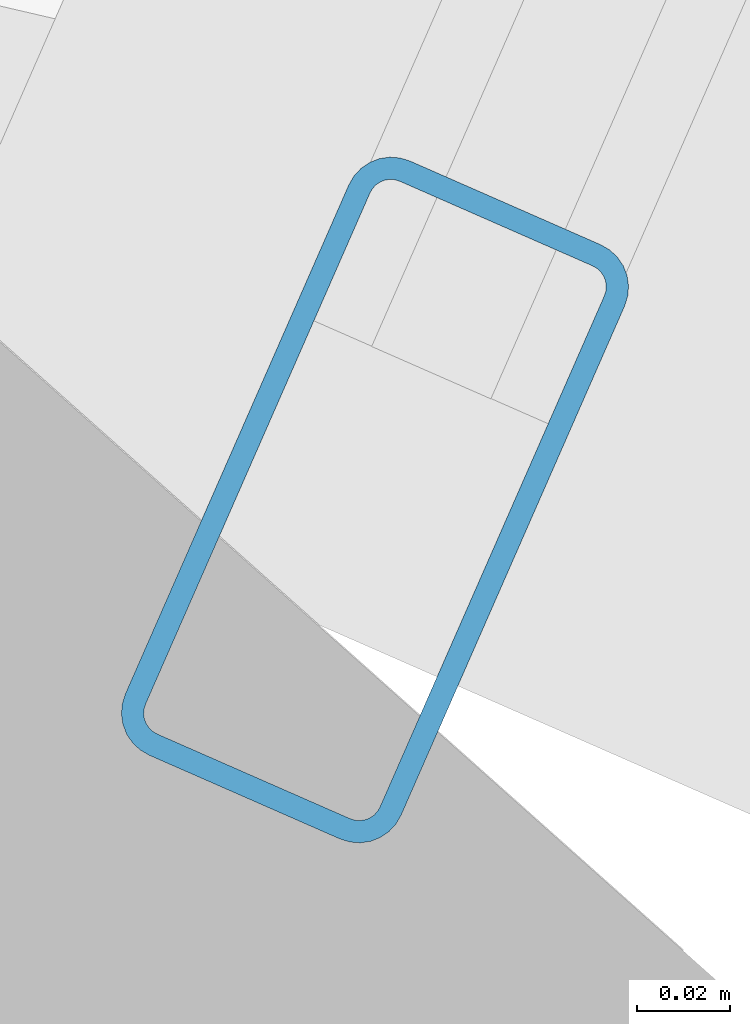
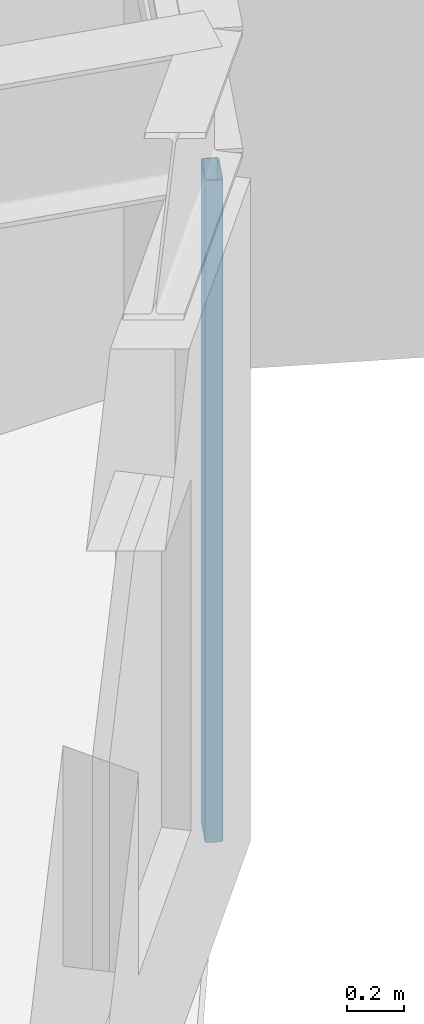
# One storey, part 12 of 25: 1 member, 1 element without a shape of its own.
"""IFC4 building model written with IfcOpenShell, lengths in metres."""

from ifc_helpers import new_model, si_unit, direction, frame, origin, origin_2d, place, context, subcontext, project, spatial, hollow_rectangle, extrude, material, layer, layer_set, material_profile, profile_set, type_object, element, aggregate, save


model = new_model("IFC4")

# Units and contexts
model_context = context("Model", 3, precision=1e-05, world=origin(), true_north=direction((0.0, 1.0)))
body_context = subcontext(model_context, "Body", "Model", "MODEL_VIEW")
ifc_project = project(units=[si_unit("LENGTHUNIT", "METRE"), si_unit("AREAUNIT", "SQUARE_METRE"), si_unit("VOLUMEUNIT", "CUBIC_METRE"), si_unit("PLANEANGLEUNIT", "RADIAN"), si_unit("MASSUNIT", "GRAM", prefix="KILO")], contexts=[model_context])

# Site, building, storey
site_placement = place(None, origin())
site = spatial("IfcSite", under=ifc_project, at=site_placement, CompositionType="ELEMENT")
building_placement = place(site_placement, origin())
building = spatial("IfcBuilding", under=site, at=building_placement, Name="Soratama Intermodal Tower", CompositionType="ELEMENT")
storey_placement = place(building_placement, frame((0.0, 0.0, 276.25)))
storey = spatial("IfcBuildingStorey", under=building, at=storey_placement, Name="L70", CompositionType="ELEMENT", Elevation=276.25)

# Curtain wall, member
ifc_material_1 = material(Name="Double-glazed aluminium curtain wall", Category="aluminium")
ifc_layer = layer(ifc_material_1, 0.159912109375)
ifc_layer_set = layer_set([ifc_layer], Name="Double-glazed aluminium curtain wall")
curtain_wall_type = type_object("IfcCurtainWallType", Name="CW-SYS-5", PredefinedType="NOTDEFINED", material=ifc_layer_set)
curtain_wall_placement = place(storey_placement, origin())
curtain_wall = element("IfcCurtainWall", 1, at=curtain_wall_placement, inside=storey, type_object=curtain_wall_type, Name="L70 Faceted Curtain Wall F08", PredefinedType="NOTDEFINED")
ifc_material_2 = material(Name="Anodised aluminium AA 6063-T6", Category="aluminium")
ifc_material_profile = material_profile(ifc_material_2, hollow_rectangle(XDim=0.06494140625, YDim=0.139892578125, WallThickness=0.0048828125, InnerFilletRadius=0.0048828125, OuterFilletRadius=0.010009765625, at=origin_2d()), Name="CWM140X65X5")
ifc_profile_set = profile_set([ifc_material_profile], Name="Anodised aluminium AA 6063-T6")
member_type = type_object("IfcMemberType", Name="MT-CWM-5", PredefinedType="MULLION", material=ifc_profile_set)
member_placement = place(storey_placement, frame((59.67578125, 13.94921875, 0.0), z_axis=(0.0, 0.0, 1.0), x_axis=(-0.915660611945, 0.401952290369, 0.0)))
member = element("IfcMember", 2, at=member_placement, type_object=member_type, Name="CW-5 mullion 1", PredefinedType="MULLION", context=body_context, shape_type="SweptSolid", body=[
    extrude(hollow_rectangle(XDim=0.06494140625, YDim=0.139892578125, WallThickness=0.0048828125, InnerFilletRadius=0.0048828125, OuterFilletRadius=0.010009765625, at=origin_2d()), origin(), (0.0, 0.0, 1.0), 2.8291015625),
])
aggregate(curtain_wall, [member])

save(model, "model.ifc")
